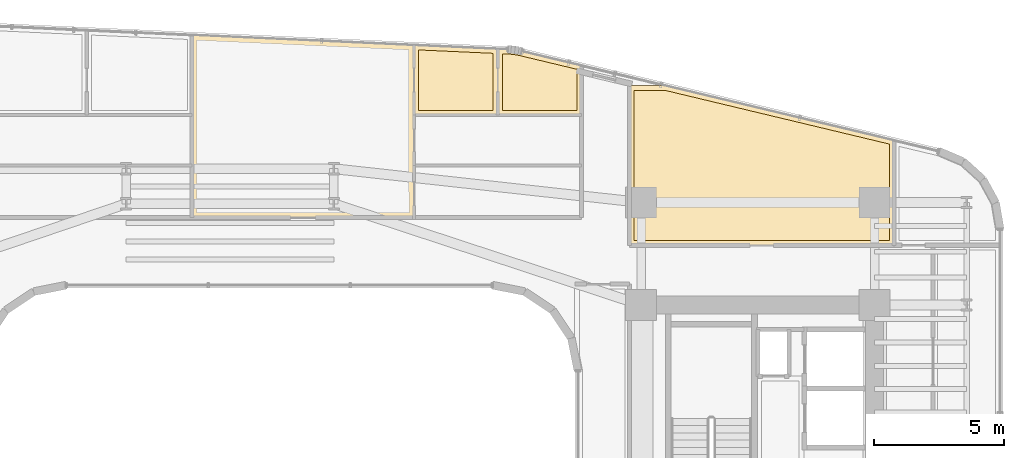
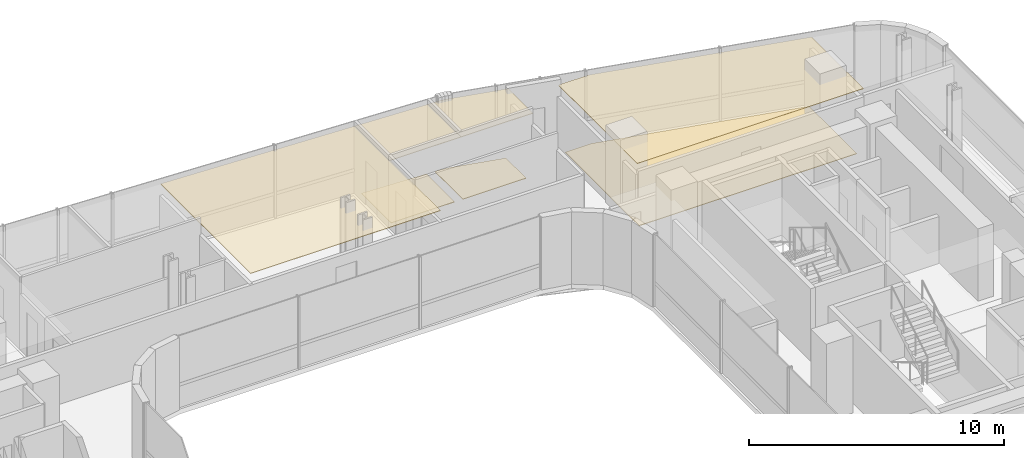
# One storey, part 35 of 35: 7 coverings.
"""IFC4 building model written with IfcOpenShell, lengths in metres."""

from ifc_helpers import new_model, si_unit, direction, frame, origin, place, context, subcontext, project, spatial, polyline, outline, extrude, material, layer, layer_set, type_object, element, save


model = new_model("IFC4")

# Units and contexts
model_context = context("Model", 3, precision=1e-05, world=origin(), true_north=direction((0.0, 1.0)))
body_context = subcontext(model_context, "Body", "Model", "MODEL_VIEW")
ifc_project = project(units=[si_unit("LENGTHUNIT", "METRE"), si_unit("AREAUNIT", "SQUARE_METRE"), si_unit("VOLUMEUNIT", "CUBIC_METRE"), si_unit("PLANEANGLEUNIT", "RADIAN"), si_unit("MASSUNIT", "GRAM", prefix="KILO")], contexts=[model_context])

# Site, building, storey
site_placement = place(None, origin())
site = spatial("IfcSite", under=ifc_project, at=site_placement, CompositionType="ELEMENT")
building_placement = place(site_placement, origin())
building = spatial("IfcBuilding", under=site, at=building_placement, Name="Valdorenza Pilgrim Sanctuary Tower", CompositionType="ELEMENT")
storey_placement = place(building_placement, frame((0.0, 0.0, 105.699951171875)))
storey = spatial("IfcBuildingStorey", under=building, at=storey_placement, Name="L26", CompositionType="ELEMENT", Elevation=105.699951171875)

# Coverings
ifc_material_1 = material(Name="Micro-perforated acoustic mineral ceiling tile", Category="gypsum")
ifc_layer_1 = layer(ifc_material_1, 0.02490234375, Name="Micro-perforated acoustic mineral ceiling tile")
ifc_layer_set_1 = layer_set([ifc_layer_1], Name="Micro-perforated acoustic mineral ceiling tile")
covering_type_1 = type_object("IfcCoveringType", Name="COV-CLG-ACU", PredefinedType="CEILING", material=ifc_layer_set_1)
covering_1_placement = place(storey_placement, frame((0.0, 0.0, 3.16015625)))
element("IfcCovering", 1, at=covering_1_placement, inside=storey, type_object=covering_type_1, Name="L26 North Family Flat L26-N3 Bedroom 1 Acoustic Ceiling", PredefinedType="CEILING", context=body_context, shape_type="SweptSolid", body=[
    extrude(outline(polyline([(7.0908203125, 16.85498046875), (7.08935546875, 16.85498046875), (7.087890625, 16.855224609375), (7.08642578125, 16.855712890625), (7.085205078125, 16.856201171875), (7.083740234375, 16.856689453125), (7.08251953125, 16.857421875), (7.081298828125, 16.8583984375), (7.080078125, 16.859375), (7.0791015625, 16.860595703125), (7.078369140625, 16.86181640625), (7.07763671875, 16.86279296875), (7.076904296875, 16.8642578125), (7.076416015625, 16.865478515625), (7.076171875, 16.8671875), (7.075927734375, 16.868408203125), (7.07568359375, 16.8701171875), (7.07568359375, 19.567626953125), (7.075927734375, 19.569091796875), (7.076171875, 19.570556640625), (7.076416015625, 19.572021484375), (7.076904296875, 19.573486328125), (7.07763671875, 19.57470703125), (7.07861328125, 19.576171875), (7.079345703125, 19.577392578125), (7.080322265625, 19.578369140625), (7.08154296875, 19.579345703125), (7.082763671875, 19.580322265625), (7.083984375, 19.5810546875), (7.08544921875, 19.58154296875), (7.0869140625, 19.58203125), (7.08837890625, 19.58251953125), (7.090087890625, 19.58251953125), (7.091552734375, 19.58251953125), (10.321044921875, 19.435791015625), (10.322509765625, 19.435546875), (10.323974609375, 19.435302734375), (10.3251953125, 19.43505859375), (10.32666015625, 19.434326171875), (10.327880859375, 19.433837890625), (10.3291015625, 19.43310546875), (10.330078125, 19.43212890625), (10.331298828125, 19.43115234375), (10.332275390625, 19.43017578125), (10.3330078125, 19.428955078125), (10.333740234375, 19.427734375), (10.334228515625, 19.426513671875), (10.334716796875, 19.425048828125), (10.335205078125, 19.423583984375), (10.335205078125, 19.422119140625), (10.33544921875, 19.4208984375), (10.33544921875, 16.8701171875), (10.335205078125, 16.868408203125), (10.335205078125, 16.8671875), (10.334716796875, 16.865478515625), (10.334228515625, 16.8642578125), (10.33349609375, 16.86279296875), (10.3330078125, 16.86181640625), (10.33203125, 16.860595703125), (10.3310546875, 16.859375), (10.329833984375, 16.8583984375), (10.32861328125, 16.857421875), (10.327392578125, 16.856689453125), (10.326171875, 16.856201171875), (10.32470703125, 16.855712890625), (10.3232421875, 16.855224609375), (10.322021484375, 16.85498046875), (10.3203125, 16.85498046875), (7.0908203125, 16.85498046875)])), origin(), (0.0, 0.0, 1.0), 0.02490234375),
])
covering_2_placement = place(storey_placement, frame((0.0, 0.0, 3.16015625)))
element("IfcCovering", 2, at=covering_2_placement, inside=storey, type_object=covering_type_1, Name="L26 North Family Flat L26-N3 Bedroom 2 Acoustic Ceiling", PredefinedType="CEILING", context=body_context, shape_type="SweptSolid", body=[
    extrude(outline(polyline([(10.322509765625, 16.85498046875), (10.32080078125, 16.85498046875), (10.319580078125, 16.855224609375), (10.318115234375, 16.855712890625), (10.316650390625, 16.856201171875), (10.315185546875, 16.856689453125), (10.314208984375, 16.857421875), (10.31298828125, 16.8583984375), (10.311767578125, 16.859375), (10.310791015625, 16.860595703125), (10.309814453125, 16.86181640625), (10.30908203125, 16.86279296875), (10.30859375, 16.8642578125), (10.30810546875, 16.865478515625), (10.3076171875, 16.8671875), (10.3076171875, 16.868408203125), (10.307373046875, 16.8701171875), (10.307373046875, 19.420654296875), (10.3076171875, 19.422119140625), (10.3076171875, 19.423583984375), (10.30810546875, 19.42529296875), (10.30859375, 19.426513671875), (10.309326171875, 19.427978515625), (10.31005859375, 19.42919921875), (10.31103515625, 19.430419921875), (10.31201171875, 19.431396484375), (10.313232421875, 19.4326171875), (10.314453125, 19.433349609375), (10.315673828125, 19.43408203125), (10.317138671875, 19.434814453125), (10.318603515625, 19.435302734375), (10.320068359375, 19.435546875), (10.321533203125, 19.435791015625), (10.322998046875, 19.435791015625), (10.690673828125, 19.4189453125), (10.69091796875, 19.4189453125), (10.838134765625, 19.40869140625), (10.8388671875, 19.40869140625), (10.984375, 19.3916015625), (10.985107421875, 19.3916015625), (11.12939453125, 19.36767578125), (11.130126953125, 19.36767578125), (11.274658203125, 19.336669921875), (11.27490234375, 19.33642578125), (13.553466796875, 18.791015625), (13.554931640625, 18.790771484375), (13.55615234375, 18.790283203125), (13.5576171875, 18.78955078125), (13.55859375, 18.788818359375), (13.559814453125, 18.787841796875), (13.560791015625, 18.786865234375), (13.561767578125, 18.785888671875), (13.5625, 18.78466796875), (13.563232421875, 18.783447265625), (13.56396484375, 18.781982421875), (13.564453125, 18.78076171875), (13.564697265625, 18.779296875), (13.56494140625, 18.778076171875), (13.56494140625, 18.776611328125), (13.56494140625, 16.8701171875), (13.56494140625, 16.868408203125), (13.564697265625, 16.8671875), (13.564453125, 16.865478515625), (13.56396484375, 16.8642578125), (13.563232421875, 16.86279296875), (13.5625, 16.86181640625), (13.5615234375, 16.860595703125), (13.560546875, 16.859375), (13.5595703125, 16.8583984375), (13.558349609375, 16.857421875), (13.55712890625, 16.856689453125), (13.5556640625, 16.856201171875), (13.554443359375, 16.855712890625), (13.552978515625, 16.855224609375), (13.551513671875, 16.85498046875), (13.550048828125, 16.85498046875), (10.322509765625, 16.85498046875)])), origin(), (0.0, 0.0, 1.0), 0.02490234375),
])
covering_3_placement = place(storey_placement, frame((0.0, 0.0, 3.16015625)))
element("IfcCovering", 3, at=covering_3_placement, inside=storey, type_object=covering_type_1, Name="L26 North Family Flat L26-N3 Living Room Acoustic Ceiling", PredefinedType="CEILING", context=body_context, shape_type="SweptSolid", body=[
    extrude(outline(polyline([(-1.47998046875, 14.918212890625), (-1.47998046875, 14.9189453125), (-1.480224609375, 14.92041015625), (-1.480224609375, 14.922119140625), (-1.47998046875, 14.923583984375), (-1.47998046875, 14.923828125), (-1.47998046875, 16.8662109375), (-1.47998046875, 16.866943359375), (-1.480224609375, 16.868408203125), (-1.480224609375, 16.8701171875), (-1.47998046875, 16.87158203125), (-1.47998046875, 16.871826171875), (-1.47998046875, 19.95654296875), (-1.47998046875, 19.9580078125), (-1.479736328125, 19.95947265625), (-1.479248046875, 19.9609375), (-1.478759765625, 19.96240234375), (-1.47802734375, 19.963623046875), (-1.477294921875, 19.965087890625), (-1.476318359375, 19.96630859375), (-1.475341796875, 19.96728515625), (-1.47412109375, 19.96826171875), (-1.472900390625, 19.96923828125), (-1.4716796875, 19.969970703125), (-1.47021484375, 19.970458984375), (-1.46875, 19.970947265625), (-1.46728515625, 19.97119140625), (-1.4658203125, 19.971435546875), (-1.46435546875, 19.971435546875), (7.089599609375, 19.58251953125), (7.0908203125, 19.58251953125), (7.09228515625, 19.582275390625), (7.09375, 19.581787109375), (7.094970703125, 19.581298828125), (7.09619140625, 19.580810546875), (7.097412109375, 19.579833984375), (7.0986328125, 19.5791015625), (7.099609375, 19.577880859375), (7.1005859375, 19.576904296875), (7.101318359375, 19.57568359375), (7.10205078125, 19.574462890625), (7.102783203125, 19.5732421875), (7.103271484375, 19.572021484375), (7.103515625, 19.570556640625), (7.103759765625, 19.569091796875), (7.103759765625, 19.567626953125), (7.103759765625, 16.87548828125), (7.10400390625, 16.875), (7.104736328125, 16.87353515625), (7.105224609375, 16.872314453125), (7.10546875, 16.870849609375), (7.105712890625, 16.869384765625), (7.105712890625, 16.867919921875), (7.105712890625, 12.919921875), (7.105712890625, 12.91845703125), (7.10546875, 12.9169921875), (7.105224609375, 12.91552734375), (7.104736328125, 12.914306640625), (7.10400390625, 12.912841796875), (7.103271484375, 12.91162109375), (7.102294921875, 12.910400390625), (7.101318359375, 12.909423828125), (7.100341796875, 12.908447265625), (7.09912109375, 12.907470703125), (7.097900390625, 12.90673828125), (7.096435546875, 12.906005859375), (7.09521484375, 12.905517578125), (7.09375, 12.9052734375), (7.09228515625, 12.905029296875), (7.0908203125, 12.905029296875), (-1.465087890625, 12.905029296875), (-1.466552734375, 12.905029296875), (-1.468017578125, 12.9052734375), (-1.469482421875, 12.905517578125), (-1.470703125, 12.906005859375), (-1.47216796875, 12.90673828125), (-1.473388671875, 12.907470703125), (-1.474609375, 12.908447265625), (-1.4755859375, 12.909423828125), (-1.4765625, 12.910400390625), (-1.4775390625, 12.91162109375), (-1.478271484375, 12.912841796875), (-1.47900390625, 12.914306640625), (-1.4794921875, 12.91552734375), (-1.479736328125, 12.9169921875), (-1.47998046875, 12.91845703125), (-1.47998046875, 12.919921875), (-1.47998046875, 14.918212890625)])), origin(), (0.0, 0.0, 1.0), 0.02490234375),
])
covering_4_placement = place(storey_placement, frame((0.0, 0.0, 3.16015625)))
element("IfcCovering", 4, at=covering_4_placement, inside=storey, type_object=covering_type_1, Name="L26 Curator Research Office L26-BN1 Acoustic Ceiling", PredefinedType="CEILING", context=body_context, shape_type="SweptSolid", body=[
    extrude(outline(polyline([(15.39990234375, 11.8349609375), (15.3984375, 11.835205078125), (15.397216796875, 11.835205078125), (15.3955078125, 11.835693359375), (15.394287109375, 11.836181640625), (15.392822265625, 11.8369140625), (15.3916015625, 11.83740234375), (15.390380859375, 11.83837890625), (15.389404296875, 11.83935546875), (15.388427734375, 11.840576171875), (15.387451171875, 11.841796875), (15.38671875, 11.843017578125), (15.385986328125, 11.84423828125), (15.385498046875, 11.845703125), (15.38525390625, 11.84716796875), (15.385009765625, 11.848388671875), (15.385009765625, 11.85009765625), (15.385009765625, 18.0), (15.385009765625, 18.00146484375), (15.38525390625, 18.0029296875), (15.385498046875, 18.00439453125), (15.385986328125, 18.005615234375), (15.38671875, 18.007080078125), (15.387451171875, 18.00830078125), (15.388427734375, 18.009521484375), (15.389404296875, 18.010498046875), (15.390380859375, 18.01171875), (15.3916015625, 18.012451171875), (15.392822265625, 18.01318359375), (15.394287109375, 18.013916015625), (15.3955078125, 18.014404296875), (15.397216796875, 18.0146484375), (15.3984375, 18.014892578125), (15.39990234375, 18.014892578125), (16.794189453125, 18.014892578125), (16.7958984375, 18.014892578125), (16.797607421875, 18.0146484375), (25.603515625, 15.90673828125), (25.60498046875, 15.906494140625), (25.606201171875, 15.906005859375), (25.607421875, 15.9052734375), (25.608642578125, 15.904541015625), (25.60986328125, 15.903564453125), (25.61083984375, 15.902587890625), (25.61181640625, 15.901611328125), (25.612548828125, 15.900390625), (25.61328125, 15.899169921875), (25.614013671875, 15.897705078125), (25.614501953125, 15.896484375), (25.61474609375, 15.89501953125), (25.614990234375, 15.893798828125), (25.614990234375, 15.892333984375), (25.614990234375, 11.85009765625), (25.614990234375, 11.848388671875), (25.61474609375, 11.84716796875), (25.614501953125, 11.845703125), (25.614013671875, 11.84423828125), (25.61328125, 11.843017578125), (25.612548828125, 11.841796875), (25.611572265625, 11.840576171875), (25.610595703125, 11.83935546875), (25.609619140625, 11.83837890625), (25.6083984375, 11.83740234375), (25.607177734375, 11.8369140625), (25.605712890625, 11.836181640625), (25.6044921875, 11.835693359375), (25.602783203125, 11.835205078125), (25.6015625, 11.835205078125), (25.60009765625, 11.8349609375), (15.39990234375, 11.8349609375)])), origin(), (0.0, 0.0, 1.0), 0.02490234375),
])
ifc_material_2 = material(Name="Engineered European oak timber flooring", Category="wood")
ifc_layer_2 = layer(ifc_material_2, 0.02197265625, Name="Engineered European oak timber flooring")
ifc_layer_set_2 = layer_set([ifc_layer_2], Name="Engineered European oak timber flooring")
covering_type_2 = type_object("IfcCoveringType", Name="COV-FLR-OAK", PredefinedType="FLOORING", material=ifc_layer_set_2)
covering_5_placement = place(storey_placement, origin())
element("IfcCovering", 5, at=covering_5_placement, inside=storey, type_object=covering_type_2, Name="L26 North Family Flat L26-N3 Bedroom 1 Flooring", PredefinedType="FLOORING", context=body_context, shape_type="SweptSolid", body=[
    extrude(outline(polyline([(7.270751953125, 17.050048828125), (7.270751953125, 19.379150390625), (10.140380859375, 19.248779296875), (10.140380859375, 17.050048828125), (7.270751953125, 17.050048828125)])), origin(), (0.0, 0.0, 1.0), 0.025146484375),
])
covering_6_placement = place(storey_placement, origin())
element("IfcCovering", 6, at=covering_6_placement, inside=storey, type_object=covering_type_2, Name="L26 North Family Flat L26-N3 Bedroom 2 Flooring", PredefinedType="FLOORING", context=body_context, shape_type="SweptSolid", body=[
    extrude(outline(polyline([(10.50244140625, 17.050048828125), (10.50244140625, 19.232421875), (10.6796875, 19.224365234375), (10.820556640625, 19.214599609375), (10.95751953125, 19.198486328125), (11.093505859375, 19.176025390625), (11.231689453125, 19.146484375), (13.3701171875, 18.634521484375), (13.3701171875, 17.050048828125), (10.50244140625, 17.050048828125)])), origin(), (0.0, 0.0, 1.0), 0.025146484375),
])
ifc_material_3 = material(Name="Honed travertine stone flooring", Category="masonry")
ifc_layer_3 = layer(ifc_material_3, 0.030029296875, Name="Honed travertine stone flooring")
ifc_layer_set_3 = layer_set([ifc_layer_3], Name="Honed travertine stone flooring")
covering_type_3 = type_object("IfcCoveringType", Name="COV-FLR-TRV", PredefinedType="FLOORING", material=ifc_layer_set_3)
covering_7_placement = place(storey_placement, origin())
element("IfcCovering", 7, at=covering_7_placement, inside=storey, type_object=covering_type_3, Name="L26 Curator Research Office L26-BN1 Flooring", PredefinedType="FLOORING", context=body_context, shape_type="SweptSolid", body=[
    extrude(outline(polyline([(15.580078125, 12.030029296875), (15.580078125, 17.820068359375), (16.77294921875, 17.820068359375), (25.419921875, 15.750244140625), (25.419921875, 12.030029296875), (15.580078125, 12.030029296875)])), origin(), (0.0, 0.0, 1.0), 0.025146484375),
])

save(model, "model.ifc")
